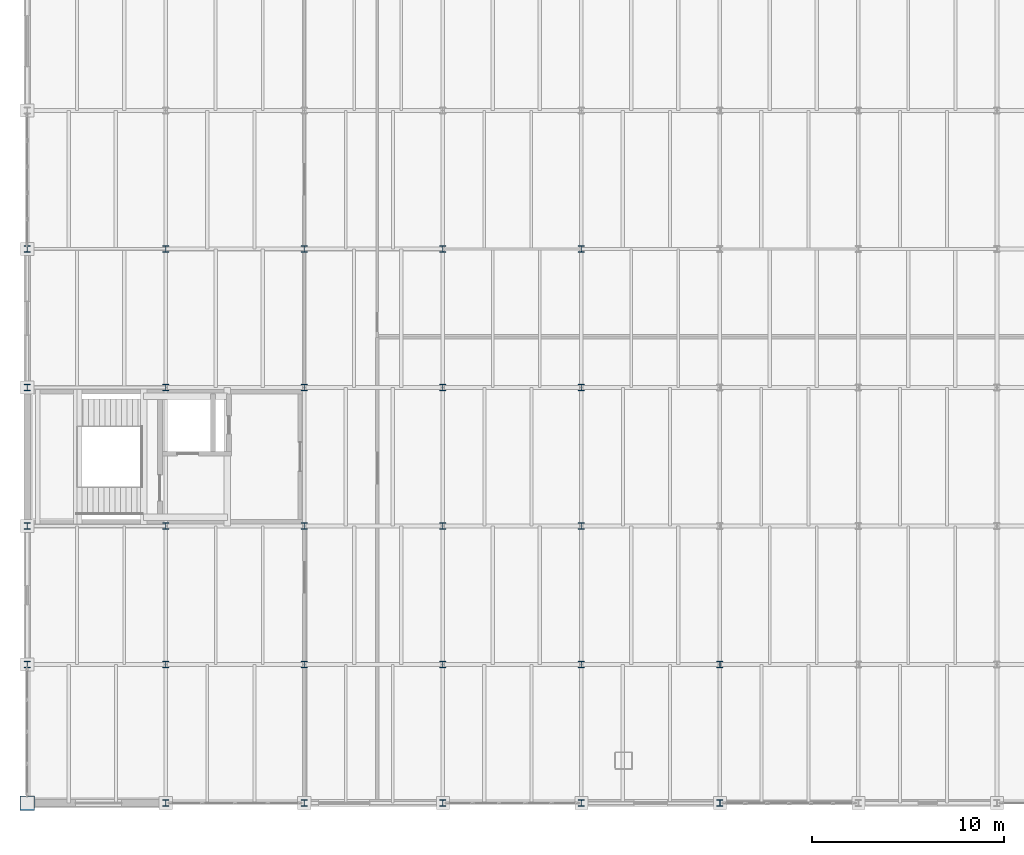
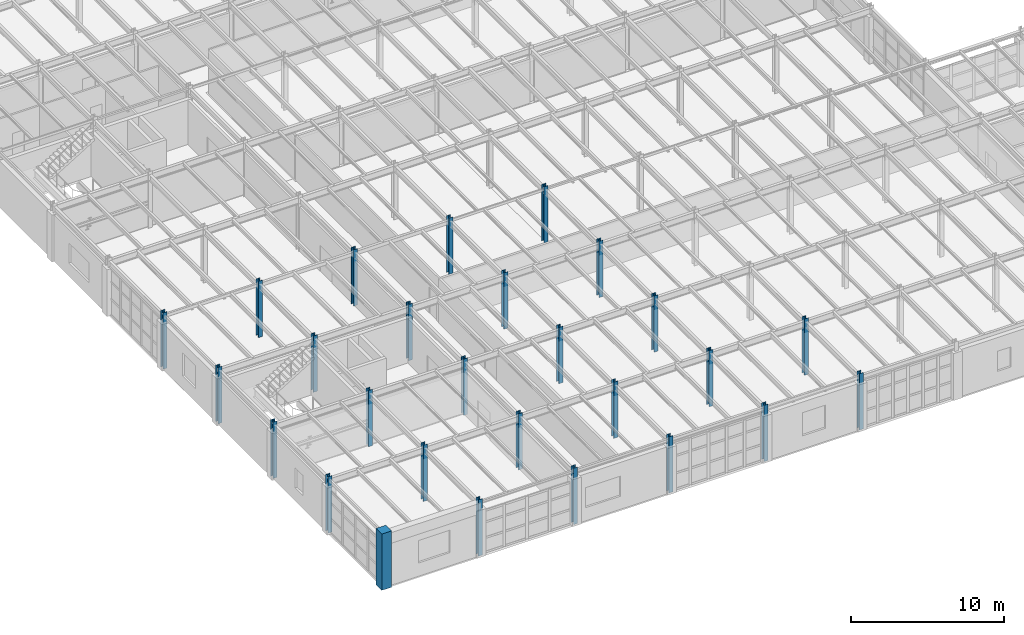
# One storey, part 1 of 137: 27 columns.
"""IFC4 building model written with IfcOpenShell, lengths in metres."""

from ifc_helpers import new_model, si_unit, direction, frame, origin, origin_with_axes, origin_2d, place, context, subcontext, project, spatial, rectangle, i_section, extrude, material, material_profile, profile_set, type_object, element, save


model = new_model("IFC4")

# Units and contexts
model_context = context("Model", 3, precision=1e-05, world=origin(), true_north=direction((0.0, 1.0)))
body_context = subcontext(model_context, "Body", "Model", "MODEL_VIEW")
ifc_project = project(units=[si_unit("LENGTHUNIT", "METRE"), si_unit("AREAUNIT", "SQUARE_METRE"), si_unit("VOLUMEUNIT", "CUBIC_METRE"), si_unit("PLANEANGLEUNIT", "RADIAN"), si_unit("MASSUNIT", "GRAM", prefix="KILO")], contexts=[model_context])

# Site, building, storey
site_placement = place(None, origin())
site = spatial("IfcSite", under=ifc_project, at=site_placement, CompositionType="ELEMENT")
building_placement = place(site_placement, origin())
building = spatial("IfcBuilding", under=site, at=building_placement, Name="Kemerveld Promenade Tramway Depot", CompositionType="ELEMENT")
storey_placement = place(building_placement, frame((0.0, 0.0, 5.39990234375)))
storey = spatial("IfcBuildingStorey", under=building, at=storey_placement, Name="L01", CompositionType="ELEMENT", Elevation=5.39990234375)

# Columns
ifc_material_1 = material(Name="Concrete C40/50", Category="concrete")
ifc_material_profile_1 = material_profile(ifc_material_1, rectangle(XDim=0.75, YDim=0.75, at=origin_2d()), Name="RC-COL-750x750")
ifc_profile_set_1 = profile_set([ifc_material_profile_1], Name="Concrete C40/50")
column_type_1 = type_object("IfcColumnType", Name="COL-RC2", PredefinedType="COLUMN", material=ifc_profile_set_1)
column_placement = place(storey_placement, origin_with_axes())
element("IfcColumn", 1, at=column_placement, inside=storey, type_object=column_type_1, Name="COL-L01-01-A", PredefinedType="COLUMN", context=body_context, shape_type="SweptSolid", body=[
    extrude(rectangle(XDim=0.75, YDim=0.75, at=origin_2d()), origin(), (0.0, 0.0, 1.0), 4.5),
])
ifc_material_2 = material(Name="Steel S355", Category="steel")
ifc_material_profile_2 = material_profile(ifc_material_2, i_section(OverallWidth=0.311279296875, OverallDepth=0.3271484375, WebThickness=0.015869140625, FlangeThickness=0.02490234375, FilletRadius=0.01513671875, at=origin_2d()), Name="305x305x158 UC")
ifc_profile_set_2 = profile_set([ifc_material_profile_2], Name="Steel S355")
column_type_2 = type_object("IfcColumnType", Name="COL-S05", PredefinedType="COLUMN", material=ifc_profile_set_2)
for number, where, z_axis, x_axis, name in (
    (2, (0.0, 7.199951171875, 0.0), (0.0, 0.0, 1.0), (1.0, 0.0, 0.0), "COL-L01-01-B"),
    (3, (0.0, 14.39990234375, 0.0), (0.0, 0.0, 1.0), (1.0, 0.0, 0.0), "COL-L01-01-C"),
    (4, (0.0, 21.60009765625, 0.0), (0.0, 0.0, 1.0), (1.0, 0.0, 0.0), "COL-L01-01-D"),
    (5, (0.0, 28.800048828125, 0.0), (0.0, 0.0, 1.0), (1.0, 0.0, 0.0), "COL-L01-01-E"),
    (6, (7.199951171875, 0.0, 0.0), (0.0, 0.0, 1.0), (1.0, 0.0, 0.0), "COL-L01-02-A"),
    (7, (7.199951171875, 7.199951171875, 0.0), (0.0, 0.0, 1.0), (1.0, 0.0, 0.0), "COL-L01-02-B"),
    (8, (7.199951171875, 14.39990234375, 0.0), (0.0, 0.0, 1.0), (1.0, 0.0, 0.0), "COL-L01-02-C"),
    (9, (7.199951171875, 21.60009765625, 0.0), (0.0, 0.0, 1.0), (1.0, 0.0, 0.0), "COL-L01-02-D"),
    (10, (7.199951171875, 28.800048828125, 0.0), (0.0, 0.0, 1.0), (1.0, 0.0, 0.0), "COL-L01-02-E"),
    (11, (14.39990234375, 0.0, 0.0), (0.0, 0.0, 1.0), (1.0, 0.0, 0.0), "COL-L01-03-A"),
    (12, (14.39990234375, 7.199951171875, 0.0), (0.0, 0.0, 1.0), (1.0, 0.0, 0.0), "COL-L01-03-B"),
    (13, (14.39990234375, 14.39990234375, 0.0), (0.0, 0.0, 1.0), (1.0, 0.0, 0.0), "COL-L01-03-C"),
    (14, (14.39990234375, 21.60009765625, 0.0), (0.0, 0.0, 1.0), (1.0, 0.0, 0.0), "COL-L01-03-D"),
    (15, (14.39990234375, 28.800048828125, 0.0), (0.0, 0.0, 1.0), (1.0, 0.0, 0.0), "COL-L01-03-E"),
    (16, (21.60009765625, 0.0, 0.0), (0.0, 0.0, 1.0), (1.0, 0.0, 0.0), "COL-L01-04-A"),
    (17, (21.60009765625, 7.199951171875, 0.0), (0.0, 0.0, 1.0), (1.0, 0.0, 0.0), "COL-L01-04-B"),
    (18, (21.60009765625, 14.39990234375, 0.0), (0.0, 0.0, 1.0), (1.0, 0.0, 0.0), "COL-L01-04-C"),
    (19, (21.60009765625, 21.60009765625, 0.0), (0.0, 0.0, 1.0), (1.0, 0.0, 0.0), "COL-L01-04-D"),
    (20, (21.60009765625, 28.800048828125, 0.0), (0.0, 0.0, 1.0), (1.0, 0.0, 0.0), "COL-L01-04-E"),
    (21, (28.800048828125, 0.0, 0.0), (0.0, 0.0, 1.0), (1.0, 0.0, 0.0), "COL-L01-05-A"),
    (22, (28.800048828125, 7.199951171875, 0.0), (0.0, 0.0, 1.0), (1.0, 0.0, 0.0), "COL-L01-05-B"),
    (23, (28.800048828125, 14.39990234375, 0.0), (0.0, 0.0, 1.0), (1.0, 0.0, 0.0), "COL-L01-05-C"),
    (24, (28.800048828125, 21.60009765625, 0.0), (0.0, 0.0, 1.0), (1.0, 0.0, 0.0), "COL-L01-05-D"),
    (25, (28.800048828125, 28.800048828125, 0.0), (0.0, 0.0, 1.0), (1.0, 0.0, 0.0), "COL-L01-05-E"),
    (26, (36.0, 0.0, 0.0), (0.0, 0.0, 1.0), (1.0, 0.0, 0.0), "COL-L01-06-A"),
    (27, (36.0, 7.199951171875, 0.0), (0.0, 0.0, 1.0), (1.0, 0.0, 0.0), "COL-L01-06-B"),
):
    element("IfcColumn", number, at=place(storey_placement, frame(where, z_axis=z_axis, x_axis=x_axis)), inside=storey, type_object=column_type_2, Name=name, PredefinedType="COLUMN", context=body_context, shape_type="SweptSolid", body=[
        extrude(i_section(OverallWidth=0.311279296875, OverallDepth=0.3271484375, WebThickness=0.015869140625, FlangeThickness=0.02490234375, FilletRadius=0.01513671875, at=origin_2d()), origin(), (0.0, 0.0, 1.0), 4.5),
    ])

save(model, "model.ifc")
